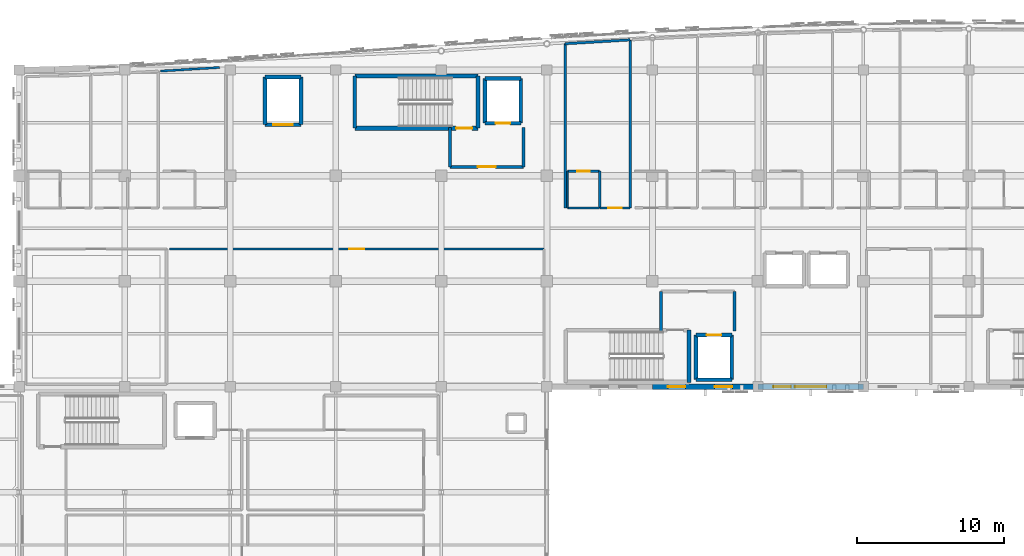
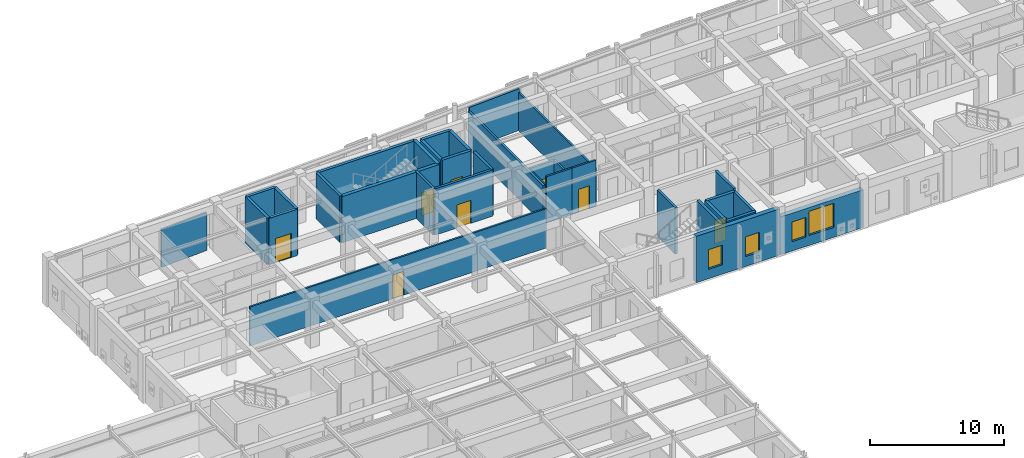
# One storey, part 79 of 106: 34 walls, 8 doors, 4 windows, 12 openings.
"""IFC4 building model written with IfcOpenShell, lengths in metres."""

import ifcopenshell
import ifcopenshell.guid

model = None  # the IFC model being written
_history = None  # IfcOwnerHistory: only IFC2X3 demands one
_inside = {}  # id of a spatial element -> (the spatial element, [elements in it])
_under = {}  # id of a project, library or spatial element -> (it, [spatial elements below it])
_declared = {}  # id of a project -> (the project, [libraries it declares])
_typed = {}  # id of a type object -> (the type object, [elements of that type])
_made_of = {}  # id of a material, layer set ... -> (it, [elements and type objects made of it])


def new_model(schema):
    """Start an empty IFC model of exactly this schema.

    Asked for "IFC4X3", IfcOpenShell would pick the latest addendum, in which some entities
    have other attributes; the version numbers below select the first issue.
    IFC2X3 requires an IfcOwnerHistory on every rooted entity: one is made here for all.
    """
    global model, _history
    if schema == "IFC4X3":
        model = ifcopenshell.file(schema_version=(4, 3, 0, 0))
    else:
        model = ifcopenshell.file(schema=schema)
    _inside.clear()
    _under.clear()
    _declared.clear()
    _typed.clear()
    _made_of.clear()
    _history = None
    if model.schema == "IFC2X3":
        org = make("IfcOrganization", Name="unknown")
        user = make(
            "IfcPersonAndOrganization",
            ThePerson=make("IfcPerson", FamilyName="unknown"),
            TheOrganization=org,
        )
        app = make(
            "IfcApplication",
            ApplicationDeveloper=org,
            Version="unknown",
            ApplicationFullName="unknown",
            ApplicationIdentifier="unknown",
        )
        _history = make(
            "IfcOwnerHistory",
            OwningUser=user,
            OwningApplication=app,
            ChangeAction="ADDED",
            CreationDate=0,
        )
    return model


def make(cls, **values):
    """One entity of the class cls with the attributes given. An attribute that is None is left unset."""
    return model.create_entity(
        cls, **{name: value for name, value in values.items() if value is not None}
    )


def rooted(cls, **values):
    """An entity with a GlobalId (a new one), such as an element, a storey or a relation."""
    return make(cls, GlobalId=ifcopenshell.guid.new(), OwnerHistory=_history, **values)


def si_unit(unit_type, name, prefix=None):
    """IfcSIUnit, for example si_unit("LENGTHUNIT", "METRE", prefix="MILLI")."""
    return make("IfcSIUnit", UnitType=unit_type, Prefix=prefix, Name=name)


def assignment(units):
    """IfcUnitAssignment: the units of a project."""
    return None if units is None else make("IfcUnitAssignment", Units=units)


def point(xyz):
    """IfcCartesianPoint."""
    return None if xyz is None else make("IfcCartesianPoint", Coordinates=xyz)


def direction(xyz):
    """IfcDirection."""
    return None if xyz is None else make("IfcDirection", DirectionRatios=xyz)


def frame(location, z_axis=None, x_axis=None):
    """IfcAxis2Placement3D, a coordinate frame: its origin and axes. An axis left out is left unset."""
    return make(
        "IfcAxis2Placement3D",
        Location=point(location),
        Axis=direction(z_axis),
        RefDirection=direction(x_axis),
    )


def frame_2d(location, x_axis=None):
    """IfcAxis2Placement2D, a coordinate frame in the plane: its origin and x axis."""
    return make(
        "IfcAxis2Placement2D", Location=point(location), RefDirection=direction(x_axis)
    )


def origin():
    """The frame at (0, 0, 0) with its axes left unset."""
    return frame((0.0, 0.0, 0.0))


def place(relative_to, where):
    """IfcLocalPlacement: puts the frame where relative to a parent placement (None: the world)."""
    return make(
        "IfcLocalPlacement", PlacementRelTo=relative_to, RelativePlacement=where
    )


def context(
    kind, dimensions, precision=None, world=None, true_north=None, identifier=None
):
    """IfcGeometricRepresentationContext, for example the 3D "Model" context."""
    return make(
        "IfcGeometricRepresentationContext",
        ContextIdentifier=identifier,
        ContextType=kind,
        CoordinateSpaceDimension=dimensions,
        Precision=precision,
        WorldCoordinateSystem=world,
        TrueNorth=true_north,
    )


def subcontext(parent, identifier, kind, view, scale=None):
    """IfcGeometricRepresentationSubContext, for example "Body" below "Model"."""
    return make(
        "IfcGeometricRepresentationSubContext",
        ContextIdentifier=identifier,
        ContextType=kind,
        ParentContext=parent,
        TargetScale=scale,
        TargetView=view,
    )


def project(units=None, contexts=None):
    """IfcProject with its units and contexts."""
    return rooted(
        "IfcProject",
        Name="project",
        RepresentationContexts=contexts,
        UnitsInContext=assignment(units),
    )


def spatial(cls, under=None, at=None, **own):
    """A site, building, storey or space (cls), placed at a placement, below another one or the project."""
    s = rooted(cls, ObjectPlacement=at, **own)
    if under is not None:
        _under.setdefault(under.id(), (under, []))[1].append(s)
    return s


def profile(cls, at=None, kind="AREA", **sizes):
    """A parametric profile (cls). Its sizes go by their IFC names, for example OverallWidth=200.0."""
    return make(cls, ProfileType=kind, Position=at, **sizes)


def rectangle(**sizes):
    """IfcRectangleProfileDef."""
    return profile("IfcRectangleProfileDef", **sizes)


def extrude(swept, where, along, depth):
    """IfcExtrudedAreaSolid: the profile swept, set in the frame where, extruded along a direction by depth."""
    return make(
        "IfcExtrudedAreaSolid",
        SweptArea=swept,
        Position=where,
        ExtrudedDirection=direction(along),
        Depth=depth,
    )


def shape(context_of_items, identifier, shape_type, items):
    """IfcShapeRepresentation: the items that make up one representation, for example the "Body"."""
    return make(
        "IfcShapeRepresentation",
        ContextOfItems=context_of_items,
        RepresentationIdentifier=identifier,
        RepresentationType=shape_type,
        Items=items,
    )


def material(Name=None, Category=None):
    """IfcMaterial."""
    return make("IfcMaterial", Name=Name, Category=Category)


def layer(
    of_material, thickness, ventilated=None, Name=None, Category=None, Priority=None
):
    """IfcMaterialLayer: one layer of a wall or slab, of a material (None: an air gap)."""
    return make(
        "IfcMaterialLayer",
        Material=of_material,
        LayerThickness=thickness,
        IsVentilated=ventilated,
        Name=Name,
        Category=Category,
        Priority=Priority,
    )


def layer_set(layers, Name=None):
    """IfcMaterialLayerSet."""
    return make("IfcMaterialLayerSet", MaterialLayers=layers, LayerSetName=Name)


def made_of(thing, what):
    """Note that an element or type object is made of a material, layer set ...; save() writes the relation."""
    if what is not None:
        _made_of.setdefault(what.id(), (what, []))[1].append(thing)
    return thing


def type_object(cls, material=None, **own):
    """A type object (cls), such as IfcWallType, which elements share."""
    return made_of(rooted(cls, **own), material)


def element(
    cls,
    number,
    at=None,
    inside=None,
    cuts=None,
    type_object=None,
    material=None,
    context=None,
    identifier="Body",
    shape_type=None,
    held_by="IfcProductDefinitionShape",
    body=None,
    shapes=None,
    **own,
):
    """One element of the class cls, such as IfcWall. Its Tag is "e" and its number.

    at: its placement. inside: the storey or other place that contains it. cuts: it is an
    opening in that element (IfcRelVoidsElement). A single representation is given by context,
    identifier, shape_type and body (its items); several are given by shapes. held_by: the class
    of the entity that holds the representations. save() writes the other relations.
    """
    e = rooted(cls, Tag="e%d" % number, ObjectPlacement=at, **own)
    if body is not None:
        shapes = [shape(context, identifier, shape_type, body)]
    if shapes is not None:
        e.Representation = make(held_by, Representations=shapes)
    if inside is not None:
        _inside.setdefault(inside.id(), (inside, []))[1].append(e)
    if cuts is not None:
        rooted(
            "IfcRelVoidsElement", RelatingBuildingElement=cuts, RelatedOpeningElement=e
        )
    if type_object is not None:
        _typed.setdefault(type_object.id(), (type_object, []))[1].append(e)
    return made_of(e, material)


def fill(opening, filler):
    """IfcRelFillsElement: the door or window that sits in an opening."""
    return rooted(
        "IfcRelFillsElement",
        RelatingOpeningElement=opening,
        RelatedBuildingElement=filler,
    )


def aggregate(whole, parts):
    """IfcRelAggregates: a whole, such as a stair, and the parts it consists of."""
    return rooted("IfcRelAggregates", RelatingObject=whole, RelatedObjects=parts)


def save(model, path):
    """Write the relations noted so far, then the file.

    IfcRelAggregates (storeys below a building ...), IfcRelContainedInSpatialStructure (elements
    in a storey), IfcRelDefinesByType, IfcRelAssociatesMaterial and IfcRelDeclares: one each for
    every whole, place, type object, material and project.
    """
    for whole, parts in _under.values():
        aggregate(whole, parts)
    for where, things in _inside.values():
        rooted(
            "IfcRelContainedInSpatialStructure",
            RelatedElements=things,
            RelatingStructure=where,
        )
    for kind, things in _typed.values():
        rooted("IfcRelDefinesByType", RelatedObjects=things, RelatingType=kind)
    for what, things in _made_of.values():
        rooted("IfcRelAssociatesMaterial", RelatedObjects=things, RelatingMaterial=what)
    for by, libraries in _declared.values():
        rooted("IfcRelDeclares", RelatingContext=by, RelatedDefinitions=libraries)
    model.write(path)


model = new_model("IFC4")

# Units and contexts
model_context = context("Model", 3, precision=1e-05, world=origin(), true_north=direction((0.0, 1.0)))
body_context = subcontext(model_context, "Body", "Model", "MODEL_VIEW")
ifc_project = project(units=[si_unit("LENGTHUNIT", "METRE"), si_unit("AREAUNIT", "SQUARE_METRE"), si_unit("VOLUMEUNIT", "CUBIC_METRE"), si_unit("PLANEANGLEUNIT", "RADIAN"), si_unit("MASSUNIT", "GRAM", prefix="KILO")], contexts=[model_context])

# Site, building, storey
site_placement = place(None, origin())
site = spatial("IfcSite", under=ifc_project, at=site_placement, CompositionType="ELEMENT")
building_placement = place(site_placement, origin())
building = spatial("IfcBuilding", under=site, at=building_placement, Name="Carrowvane Square Congress Hotel", CompositionType="ELEMENT")
storey_placement = place(building_placement, frame((0.0, 0.0, 10.5)))
storey = spatial("IfcBuildingStorey", under=building, at=storey_placement, Name="L02", CompositionType="ELEMENT", Elevation=10.5)

# Wall, openings, windows
ifc_material_1 = material(Name="Glazed terracotta rainscreen", Category="masonry")
ifc_layer_1 = layer(ifc_material_1, 0.39990234375)
ifc_layer_set_1 = layer_set([ifc_layer_1], Name="Glazed terracotta rainscreen")
wall_type_1 = type_object("IfcWallType", Name="WL-EXT-TC400", PredefinedType="STANDARD", material=ifc_layer_set_1)
wall_1_placement = place(storey_placement, frame((90.800048828125, 91.800048828125, 0.0), z_axis=(0.0, 0.0, 1.0), x_axis=(-1.0, 0.0, 0.0)))
wall_1 = element("IfcWall", 1, at=wall_1_placement, inside=storey, type_object=wall_type_1, Name="L02 exterior facade wall 320", PredefinedType="STANDARD", context=body_context, shape_type="SweptSolid", body=[
    extrude(rectangle(XDim=7.199951171875, YDim=0.39990234375, at=frame_2d((3.60009765625, 0.0))), origin(), (0.0, 0.0, 1.0), 3.455078125),
])
opening_1_placement = place(wall_1_placement, frame((2.52490234375, 0.0, 0.89990234375)))
opening_1 = element("IfcOpeningElement", 2, at=opening_1_placement, cuts=wall_1, Name="Opening W-35", PredefinedType="OPENING", context=body_context, shape_type="SweptSolid", body=[
    extrude(rectangle(XDim=2.14990234375, YDim=2.199951171875, at=frame_2d((1.074951171875, 1.10009765625))), frame((0.0, 0.2099609375, 0.0), z_axis=(0.0, -1.0, 0.0), x_axis=(1.0, 0.0, 0.0)), (0.0, 0.0, 1.0), 0.419921875),
])
opening_2_placement = place(wall_1_placement, frame((4.949951171875, 0.0, 0.85009765625)))
opening_2 = element("IfcOpeningElement", 3, at=opening_2_placement, cuts=wall_1, Name="Opening W-01", PredefinedType="OPENING", context=body_context, shape_type="SweptSolid", body=[
    extrude(rectangle(XDim=1.199951171875, YDim=1.800048828125, at=frame_2d((0.60009765625, 0.89990234375))), frame((0.0, 0.2099609375, 0.0), z_axis=(0.0, -1.0, 0.0), x_axis=(1.0, 0.0, 0.0)), (0.0, 0.0, 1.0), 0.419921875),
])
ifc_material_2 = material(Name="Double-glazed low-E glass", Category="glass")
window_type_1 = type_object("IfcWindowType", Name="WIN-01", PartitioningType="SINGLE_PANEL", PredefinedType="WINDOW", material=ifc_material_2)
window_1_placement = place(opening_2_placement, origin())
window_1 = element("IfcWindow", 4, at=window_1_placement, inside=storey, type_object=window_type_1, Name="L02 guest bedroom window 144", OverallHeight=1.800048828125, OverallWidth=1.199951171875, PartitioningType="SINGLE_PANEL", PredefinedType="WINDOW", context=body_context, shape_type="SweptSolid", body=[
    extrude(rectangle(XDim=1.199951171875, YDim=1.800048828125, at=frame_2d((0.60009765625, 0.89990234375))), frame((0.0, 0.030029296875, 0.0), z_axis=(0.0, -1.0, 0.0), x_axis=(1.0, 0.0, 0.0)), (0.0, 0.0, 1.0), 0.06005859375),
])
fill(opening_2, window_1)
ifc_material_3 = material(Name="Double-glazed low-E glass", Category="glass")
window_type_2 = type_object("IfcWindowType", Name="WIN-35", PartitioningType="SINGLE_PANEL", PredefinedType="WINDOW", material=ifc_material_3)
window_2_placement = place(opening_1_placement, origin())
window_2 = element("IfcWindow", 5, at=window_2_placement, inside=storey, type_object=window_type_2, Name="L02 facade window 143", OverallHeight=2.199951171875, OverallWidth=2.14990234375, PartitioningType="SINGLE_PANEL", PredefinedType="WINDOW", context=body_context, shape_type="SweptSolid", body=[
    extrude(rectangle(XDim=2.14990234375, YDim=2.199951171875, at=frame_2d((1.074951171875, 1.10009765625))), frame((0.0, 0.030029296875, 0.0), z_axis=(0.0, -1.0, 0.0), x_axis=(1.0, 0.0, 0.0)), (0.0, 0.0, 1.0), 0.06005859375),
])
fill(opening_1, window_2)

wall_2_placement = place(storey_placement, frame((83.60009765625, 91.800048828125, 0.0), z_axis=(0.0, 0.0, 1.0), x_axis=(-1.0, 0.0, 0.0)))
wall_2 = element("IfcWall", 6, at=wall_2_placement, inside=storey, type_object=wall_type_1, Name="L02 exterior facade wall 321", PredefinedType="STANDARD", context=body_context, shape_type="SweptSolid", body=[
    extrude(rectangle(XDim=7.2001953125, YDim=0.39990234375, at=frame_2d((3.60009765625, 0.0))), origin(), (0.0, 0.0, 1.0), 4.219970703125),
])
opening_3_placement = place(wall_2_placement, frame((1.75, 0.0, 0.89990234375)))
opening_3 = element("IfcOpeningElement", 7, at=opening_3_placement, cuts=wall_2, Name="Opening W-01", PredefinedType="OPENING", context=body_context, shape_type="SweptSolid", body=[
    extrude(rectangle(XDim=1.199951171875, YDim=1.800048828125, at=frame_2d((0.60009765625, 0.89990234375))), frame((0.0, 0.2099609375, 0.0), z_axis=(0.0, -1.0, 0.0), x_axis=(1.0, 0.0, 0.0)), (0.0, 0.0, 1.0), 0.419921875),
])
opening_4_placement = place(wall_2_placement, frame((4.949951171875, 0.0, 0.85009765625)))
opening_4 = element("IfcOpeningElement", 8, at=opening_4_placement, cuts=wall_2, Name="Opening W-01", PredefinedType="OPENING", context=body_context, shape_type="SweptSolid", body=[
    extrude(rectangle(XDim=1.199951171875, YDim=1.800048828125, at=frame_2d((0.60009765625, 0.89990234375))), frame((0.0, 0.2099609375, 0.0), z_axis=(0.0, -1.0, 0.0), x_axis=(1.0, 0.0, 0.0)), (0.0, 0.0, 1.0), 0.419921875),
])
window_3_placement = place(opening_3_placement, origin())
window_3 = element("IfcWindow", 9, at=window_3_placement, inside=storey, type_object=window_type_1, Name="L02 facade window 145", OverallHeight=1.800048828125, OverallWidth=1.199951171875, PartitioningType="SINGLE_PANEL", PredefinedType="WINDOW", context=body_context, shape_type="SweptSolid", body=[
    extrude(rectangle(XDim=1.199951171875, YDim=1.800048828125, at=frame_2d((0.60009765625, 0.89990234375))), frame((0.0, 0.030029296875, 0.0), z_axis=(0.0, -1.0, 0.0), x_axis=(1.0, 0.0, 0.0)), (0.0, 0.0, 1.0), 0.06005859375),
])
fill(opening_3, window_3)
window_4_placement = place(opening_4_placement, origin())
window_4 = element("IfcWindow", 10, at=window_4_placement, inside=storey, type_object=window_type_1, Name="L02 guest bedroom window 146", OverallHeight=1.800048828125, OverallWidth=1.199951171875, PartitioningType="SINGLE_PANEL", PredefinedType="WINDOW", context=body_context, shape_type="SweptSolid", body=[
    extrude(rectangle(XDim=1.199951171875, YDim=1.800048828125, at=frame_2d((0.60009765625, 0.89990234375))), frame((0.0, 0.030029296875, 0.0), z_axis=(0.0, -1.0, 0.0), x_axis=(1.0, 0.0, 0.0)), (0.0, 0.0, 1.0), 0.06005859375),
])
fill(opening_4, window_4)

# Walls
ifc_material_4 = material(Name="Acoustic gypsum board", Category="gypsum")
ifc_layer_2 = layer(ifc_material_4, 0.155029296875)
ifc_layer_set_2 = layer_set([ifc_layer_2], Name="Acoustic gypsum board")
wall_type_2 = type_object("IfcWallType", Name="WL-FIR-155", PredefinedType="PARTITIONING", material=ifc_layer_set_2)
wall_3_placement = place(storey_placement, frame((72.800048828125, 104.0, 0.0), z_axis=(0.0, 0.0, 1.0), x_axis=(-1.0, 0.0, 0.0)))
element("IfcWall", 11, at=wall_3_placement, inside=storey, type_object=wall_type_2, Name="L02 En-suite Bathroom 0205 partition", PredefinedType="PARTITIONING", context=body_context, shape_type="SweptSolid", body=[
    extrude(rectangle(XDim=2.199951171875, YDim=0.155029296875, at=frame_2d((1.10009765625, 0.0))), origin(), (0.0, 0.0, 1.0), 4.219970703125),
])
wall_4_placement = place(storey_placement, frame((74.889892578125, 115.464599609375, 0.0), z_axis=(0.0, 0.0, 1.0), x_axis=(0.0, -1.0, 0.0)))
element("IfcWall", 12, at=wall_4_placement, inside=storey, type_object=wall_type_2, Name="L02 Parkview Guest Bedroom 0205 partition", PredefinedType="PARTITIONING", context=body_context, shape_type="SweptSolid", body=[
    extrude(rectangle(XDim=11.464599609375, YDim=0.155029296875, at=frame_2d((5.732421875, 0.0))), origin(), (0.0, 0.0, 1.0), 3.455078125),
])
ifc_material_5 = material(Name="Acoustic gypsum board", Category="gypsum")
ifc_layer_3 = layer(ifc_material_5, 0.169921875)
ifc_layer_set_3 = layer_set([ifc_layer_3], Name="Acoustic gypsum board")
wall_type_3 = type_object("IfcWallType", Name="WL-FIR-170", PredefinedType="PARTITIONING", material=ifc_layer_set_3)
wall_5_placement = place(storey_placement, frame((72.800048828125, 106.5, 0.0), z_axis=(0.0, 0.0, 1.0), x_axis=(0.0, -1.0, 0.0)))
element("IfcWall", 13, at=wall_5_placement, inside=storey, type_object=wall_type_3, Name="L02 En-suite Bathroom 0205 partition", PredefinedType="PARTITIONING", context=body_context, shape_type="SweptSolid", body=[
    extrude(rectangle(XDim=2.5, YDim=0.169921875, at=frame_2d((1.25, 0.0))), origin(), (0.0, 0.0, 1.0), 3.455078125),
])
wall_6_placement = place(storey_placement, frame((70.449951171875, 115.202392578125, 0.0), z_axis=(0.0, 0.0, 1.0), x_axis=(0.998260718003, 0.058953701261, 0.0)))
element("IfcWall", 14, at=wall_6_placement, inside=storey, type_object=wall_type_3, Name="L02 Parkview Guest Bedroom 0205 partition", PredefinedType="PARTITIONING", context=body_context, shape_type="SweptSolid", body=[
    extrude(rectangle(XDim=4.44775390625, YDim=0.169921875, at=frame_2d((2.223876953125, 0.0))), origin(), (0.0, 0.0, 1.0), 3.795654296875),
])

# Wall, opening, door
ifc_material_6 = material(Name="Acoustic gypsum board", Category="gypsum")
ifc_layer_4 = layer(ifc_material_6, 0.18505859375)
ifc_layer_set_4 = layer_set([ifc_layer_4], Name="Acoustic gypsum board")
wall_type_4 = type_object("IfcWallType", Name="WL-FIR-185", PredefinedType="PARTITIONING", material=ifc_layer_set_4)
wall_7_placement = place(storey_placement, frame((70.60009765625, 106.5, 0.0), z_axis=(0.0, 0.0, 1.0), x_axis=(1.0, 0.0, 0.0)))
wall_7 = element("IfcWall", 15, at=wall_7_placement, inside=storey, type_object=wall_type_4, Name="L02 En-suite Bathroom 0205 partition", PredefinedType="PARTITIONING", context=body_context, shape_type="SweptSolid", body=[
    extrude(rectangle(XDim=2.199951171875, YDim=0.18505859375, at=frame_2d((1.10009765625, 0.0))), origin(), (0.0, 0.0, 1.0), 3.455078125),
])
opening_5_placement = place(wall_7_placement, frame((0.6650390625, 0.0, 0.0)))
opening_5 = element("IfcOpeningElement", 16, at=opening_5_placement, cuts=wall_7, Name="Opening ID-15", PredefinedType="OPENING", context=body_context, shape_type="SweptSolid", body=[
    extrude(rectangle(XDim=0.8701171875, YDim=2.070068359375, at=frame_2d((0.43505859375, 1.03515625))), frame((0.0, 0.1025390625, 0.0), z_axis=(0.0, -1.0, 0.0), x_axis=(1.0, 0.0, 0.0)), (0.0, 0.0, 1.0), 0.205078125),
])
ifc_material_7 = material(Name="European oak timber", Category="wood")
door_type_1 = type_object("IfcDoorType", Name="DR-INT-0870x2070", OperationType="NOTDEFINED", PredefinedType="DOOR", material=ifc_material_7)
door_1_placement = place(opening_5_placement, origin())
door_1 = element("IfcDoor", 17, at=door_1_placement, inside=storey, type_object=door_type_1, Name="L02 En-suite Bathroom 0205 door", OperationType="SINGLE_SWING_LEFT", OverallHeight=2.070068359375, OverallWidth=0.8701171875, PredefinedType="DOOR", context=body_context, shape_type="SweptSolid", body=[
    extrude(rectangle(XDim=0.8701171875, YDim=2.070068359375, at=frame_2d((0.43505859375, 1.03515625))), frame((0.0, 0.02490234375, 0.0), z_axis=(0.0, -1.0, 0.0), x_axis=(1.0, 0.0, 0.0)), (0.0, 0.0, 1.0), 0.050048828125),
])
fill(opening_5, door_1)

# Wall
wall_8_placement = place(storey_placement, frame((70.449951171875, 104.0, 0.0), z_axis=(0.0, 0.0, 1.0), x_axis=(0.0, 1.0, 0.0)))
element("IfcWall", 18, at=wall_8_placement, inside=storey, type_object=wall_type_4, Name="L02 Parkview Guest Bedroom 0205 partition", PredefinedType="PARTITIONING", context=body_context, shape_type="SweptSolid", body=[
    extrude(rectangle(XDim=11.202392578125, YDim=0.18505859375, at=frame_2d((5.60107421875, 0.0))), origin(), (0.0, 0.0, 1.0), 3.455078125),
])

# Wall, opening, door
ifc_material_8 = material(Name="Acoustic gypsum board", Category="gypsum")
ifc_layer_5 = layer(ifc_material_8, 0.205078125)
ifc_layer_set_5 = layer_set([ifc_layer_5], Name="Acoustic gypsum board")
wall_type_5 = type_object("IfcWallType", Name="WL-FIR-205", PredefinedType="PARTITIONING", material=ifc_layer_set_5)
wall_9_placement = place(storey_placement, frame((62.60009765625, 106.800048828125, 0.0), z_axis=(0.0, 0.0, 1.0), x_axis=(1.0, 0.0, 0.0)))
wall_9 = element("IfcWall", 19, at=wall_9_placement, inside=storey, type_object=wall_type_5, Name="L02 Firefighting Lobby C1 wall south", PredefinedType="PARTITIONING", context=body_context, shape_type="SweptSolid", body=[
    extrude(rectangle(XDim=5.0, YDim=0.205078125, at=frame_2d((2.5, 0.0))), origin(), (0.0, 0.0, 1.0), 4.219970703125),
])
opening_6_placement = place(wall_9_placement, frame((1.89990234375, 0.0, 0.0)))
opening_6 = element("IfcOpeningElement", 20, at=opening_6_placement, cuts=wall_9, Name="Opening FD-02", PredefinedType="OPENING", context=body_context, shape_type="SweptSolid", body=[
    extrude(rectangle(XDim=1.199951171875, YDim=2.10009765625, at=frame_2d((0.60009765625, 1.050048828125))), frame((0.0, 0.112548828125, 0.0), z_axis=(0.0, -1.0, 0.0), x_axis=(1.0, 0.0, 0.0)), (0.0, 0.0, 1.0), 0.22509765625),
])
ifc_material_9 = material(Name="European oak timber", Category="wood")
door_type_2 = type_object("IfcDoorType", Name="DR-FD60-1200x2100", OperationType="NOTDEFINED", PredefinedType="DOOR", material=ifc_material_9)
door_2_placement = place(opening_6_placement, origin())
door_2 = element("IfcDoor", 21, at=door_2_placement, inside=storey, type_object=door_type_2, Name="L02 Firefighting Lobby C1 entrance door", OperationType="SINGLE_SWING_LEFT", OverallHeight=2.10009765625, OverallWidth=1.199951171875, PredefinedType="DOOR", context=body_context, shape_type="SweptSolid", body=[
    extrude(rectangle(XDim=1.199951171875, YDim=2.10009765625, at=frame_2d((0.60009765625, 1.050048828125))), frame((0.0, 0.02490234375, 0.0), z_axis=(0.0, -1.0, 0.0), x_axis=(1.0, 0.0, 0.0)), (0.0, 0.0, 1.0), 0.050048828125),
])
fill(opening_6, door_2)

# Walls
for number, where, z_axis, x_axis, name in (
    (22, (67.60009765625, 106.800048828125, 0.0), (0.0, 0.0, 1.0), (0.0, 1.0, 0.0), "L02 Firefighting Lobby C1 wall east"),
    (23, (62.60009765625, 109.5, 0.0), (0.0, 0.0, 1.0), (0.0, -1.0, 0.0), "L02 Firefighting Lobby C1 wall west"),
    (24, (82.0, 95.60009765625, 0.0), (0.0, 0.0, 1.0), (0.0, 1.0, 0.0), "L02 Firefighting Lobby C2 wall east"),
    (25, (77.0, 98.300048828125, 0.0), (0.0, 0.0, 1.0), (0.0, -1.0, 0.0), "L02 Firefighting Lobby C2 wall west"),
):
    element("IfcWall", number, at=place(storey_placement, frame(where, z_axis=z_axis, x_axis=x_axis)), inside=storey, type_object=wall_type_5, Name=name, PredefinedType="PARTITIONING", context=body_context, shape_type="SweptSolid", body=[
        extrude(rectangle(XDim=2.699951171875, YDim=0.205078125, at=frame_2d((1.35009765625, 0.0))), origin(), (0.0, 0.0, 1.0), 4.219970703125),
    ])
ifc_material_10 = material(Name="Acoustic gypsum board", Category="gypsum")
ifc_layer_6 = layer(ifc_material_10, 0.097900390625)
ifc_layer_set_6 = layer_set([ifc_layer_6], Name="Acoustic gypsum board")
wall_type_6 = type_object("IfcWallType", Name="WL-PRT-098", PredefinedType="PARTITIONING", material=ifc_layer_set_6)
wall_10_placement = place(storey_placement, frame((70.60009765625, 104.0, 0.0), z_axis=(0.0, 0.0, 1.0), x_axis=(0.0, 1.0, 0.0)))
element("IfcWall", 26, at=wall_10_placement, inside=storey, type_object=wall_type_6, Name="L02 En-suite Bathroom 0205 partition", PredefinedType="PARTITIONING", context=body_context, shape_type="SweptSolid", body=[
    extrude(rectangle(XDim=2.5, YDim=0.097900390625, at=frame_2d((1.25, 0.0))), origin(), (0.0, 0.0, 1.0), 3.455078125),
])

# Wall, opening, door
ifc_material_11 = material(Name="Acoustic gypsum board", Category="gypsum")
ifc_layer_7 = layer(ifc_material_11, 0.14794921875)
ifc_layer_set_7 = layer_set([ifc_layer_7], Name="Acoustic gypsum board")
wall_type_7 = type_object("IfcWallType", Name="WL-PRT-148", PredefinedType="PARTITIONING", material=ifc_layer_set_7)
wall_11_placement = place(storey_placement, frame((43.449951171875, 101.199951171875, 0.0), z_axis=(0.0, 0.0, 1.0), x_axis=(1.0, 0.0, 0.0)))
wall_11 = element("IfcWall", 27, at=wall_11_placement, inside=storey, type_object=wall_type_7, Name="L02 L02 West Delegate Linen and Service Room partition", PredefinedType="PARTITIONING", context=body_context, shape_type="SweptSolid", body=[
    extrude(rectangle(XDim=25.550048828125, YDim=0.14794921875, at=frame_2d((12.77490234375, 0.0))), origin(), (0.0, 0.0, 1.0), 3.554931640625),
])
opening_7_placement = place(wall_11_placement, frame((12.27001953125, 0.0, 0.0)))
opening_7 = element("IfcOpeningElement", 28, at=opening_7_placement, cuts=wall_11, Name="Opening ID-20", PredefinedType="OPENING", context=body_context, shape_type="SweptSolid", body=[
    extrude(rectangle(XDim=1.010009765625, YDim=2.159912109375, at=frame_2d((0.5048828125, 1.080078125))), frame((0.0, 0.083984375, 0.0), z_axis=(0.0, -1.0, 0.0), x_axis=(1.0, 0.0, 0.0)), (0.0, 0.0, 1.0), 0.16796875),
])
ifc_material_12 = material(Name="European oak timber", Category="wood")
door_type_3 = type_object("IfcDoorType", Name="DR-INT-1010x2160", OperationType="NOTDEFINED", PredefinedType="DOOR", material=ifc_material_12)
door_3_placement = place(opening_7_placement, origin())
door_3 = element("IfcDoor", 29, at=door_3_placement, inside=storey, type_object=door_type_3, Name="L02 L02 West Delegate Linen and Service Room entrance door", OperationType="SINGLE_SWING_LEFT", OverallHeight=2.159912109375, OverallWidth=1.010009765625, PredefinedType="DOOR", context=body_context, shape_type="SweptSolid", body=[
    extrude(rectangle(XDim=1.010009765625, YDim=2.159912109375, at=frame_2d((0.5048828125, 1.080078125))), frame((0.0, 0.02490234375, 0.0), z_axis=(0.0, -1.0, 0.0), x_axis=(1.0, 0.0, 0.0)), (0.0, 0.0, 1.0), 0.050048828125),
])
fill(opening_7, door_3)

# Wall
wall_12_placement = place(storey_placement, frame((42.85009765625, 113.334228515625, 0.0), z_axis=(0.0, 0.0, 1.0), x_axis=(0.998137725454, 0.061000664142, 0.0)))
element("IfcWall", 30, at=wall_12_placement, inside=storey, type_object=wall_type_7, Name="L02 Parkview Guest Bedroom 0204 partition", PredefinedType="PARTITIONING", context=body_context, shape_type="SweptSolid", body=[
    extrude(rectangle(XDim=4.038330078125, YDim=0.14794921875, at=frame_2d((2.01904296875, 0.0))), origin(), (0.0, 0.0, 1.0), 3.455078125),
])

# Wall, opening, door
wall_13_placement = place(storey_placement, frame((74.889892578125, 104.0, 0.0), z_axis=(0.0, 0.0, 1.0), x_axis=(-1.0, 0.0, 0.0)))
wall_13 = element("IfcWall", 31, at=wall_13_placement, inside=storey, type_object=wall_type_7, Name="L02 Parkview Guest Bedroom 0205 partition", PredefinedType="PARTITIONING", context=body_context, shape_type="SweptSolid", body=[
    extrude(rectangle(XDim=2.079833984375, YDim=0.14794921875, at=frame_2d((1.0400390625, 0.0))), origin(), (0.0, 0.0, 1.0), 4.219970703125),
])
opening_8_placement = place(wall_13_placement, frame((0.56494140625, 0.0, 0.0)))
opening_8 = element("IfcOpeningElement", 32, at=opening_8_placement, cuts=wall_13, Name="Opening FD-06", PredefinedType="OPENING", context=body_context, shape_type="SweptSolid", body=[
    extrude(rectangle(XDim=0.949951171875, YDim=2.10009765625, at=frame_2d((0.47509765625, 1.050048828125))), frame((0.0, 0.083984375, 0.0), z_axis=(0.0, -1.0, 0.0), x_axis=(1.0, 0.0, 0.0)), (0.0, 0.0, 1.0), 0.16796875),
])
ifc_material_13 = material(Name="European oak timber", Category="wood")
door_type_4 = type_object("IfcDoorType", Name="DR-FD30-0950x2100", OperationType="NOTDEFINED", PredefinedType="DOOR", material=ifc_material_13)
door_4_placement = place(opening_8_placement, origin())
door_4 = element("IfcDoor", 33, at=door_4_placement, inside=storey, type_object=door_type_4, Name="L02 Parkview Guest Bedroom 0205 entrance door", OperationType="SINGLE_SWING_RIGHT", OverallHeight=2.10009765625, OverallWidth=0.949951171875, PredefinedType="DOOR", context=body_context, shape_type="SweptSolid", body=[
    extrude(rectangle(XDim=0.949951171875, YDim=2.10009765625, at=frame_2d((0.47509765625, 1.050048828125))), frame((0.0, 0.02490234375, 0.0), z_axis=(0.0, -1.0, 0.0), x_axis=(1.0, 0.0, 0.0)), (0.0, 0.0, 1.0), 0.050048828125),
])
fill(opening_8, door_4)

# Walls
ifc_material_14 = material(Name="Concrete C40/50", Category="concrete")
ifc_layer_8 = layer(ifc_material_14, 0.22509765625)
ifc_layer_set_8 = layer_set([ifc_layer_8], Name="Concrete C40/50")
wall_type_8 = type_object("IfcWallType", Name="WL-SHR-225", PredefinedType="SHEAR", material=ifc_layer_set_8)
wall_14_placement = place(storey_placement, frame((56.10009765625, 113.0, 0.0), z_axis=(0.0, 0.0, 1.0), x_axis=(0.0, -1.0, 0.0)))
element("IfcWall", 34, at=wall_14_placement, inside=storey, type_object=wall_type_8, Name="L02 ST1 core wall west", PredefinedType="SHEAR", context=body_context, shape_type="SweptSolid", body=[
    extrude(rectangle(XDim=3.56005859375, YDim=0.22509765625, at=frame_2d((1.780029296875, 0.0))), origin(), (0.0, 0.0, 1.0), 4.219970703125),
])
ifc_material_15 = material(Name="Concrete C40/50", Category="concrete")
ifc_layer_9 = layer(ifc_material_15, 0.25)
ifc_layer_set_9 = layer_set([ifc_layer_9], Name="Concrete C40/50")
wall_type_9 = type_object("IfcWallType", Name="WL-SHR-250", PredefinedType="SHEAR", material=ifc_layer_set_9)
wall_15_placement = place(storey_placement, frame((64.5, 113.0, 0.0), z_axis=(0.0, 0.0, 1.0), x_axis=(-1.0, 0.0, 0.0)))
element("IfcWall", 35, at=wall_15_placement, inside=storey, type_object=wall_type_9, Name="L02 ST1 core wall north", PredefinedType="SHEAR", context=body_context, shape_type="SweptSolid", body=[
    extrude(rectangle(XDim=8.39990234375, YDim=0.25, at=frame_2d((4.199951171875, 0.0))), origin(), (0.0, 0.0, 1.0), 4.219970703125),
])

# Wall, opening, door
wall_16_placement = place(storey_placement, frame((64.97509765625, 109.77490234375, 0.0), z_axis=(0.0, 0.0, 1.0), x_axis=(1.0, 0.0, 0.0)))
wall_16 = element("IfcWall", 36, at=wall_16_placement, inside=storey, type_object=wall_type_9, Name="L02 FFL-1 shaft wall south", PredefinedType="SHEAR", context=body_context, shape_type="SweptSolid", body=[
    extrude(rectangle(XDim=2.449951171875, YDim=0.25, at=frame_2d((1.22509765625, 0.0))), origin(), (0.0, 0.0, 1.0), 4.219970703125),
])
opening_9_placement = place(wall_16_placement, frame((0.72509765625, 0.0, 0.0)))
opening_9 = element("IfcOpeningElement", 37, at=opening_9_placement, cuts=wall_16, Name="Opening LD-FFL-1", PredefinedType="OPENING", context=body_context, shape_type="SweptSolid", body=[
    extrude(rectangle(XDim=1.0, YDim=2.14990234375, at=frame_2d((0.5, 1.074951171875))), frame((0.0, 0.135009765625, 0.0), z_axis=(0.0, -1.0, 0.0), x_axis=(1.0, 0.0, 0.0)), (0.0, 0.0, 1.0), 0.27001953125),
])
ifc_material_16 = material(Name="Stainless steel 316", Category="steel")
door_type_5 = type_object("IfcDoorType", Name="DR-LD-1000x2150", OperationType="DOUBLE_DOOR_SLIDING", PredefinedType="DOOR", material=ifc_material_16)
door_5_placement = place(opening_9_placement, origin())
door_5 = element("IfcDoor", 38, at=door_5_placement, inside=storey, type_object=door_type_5, Name="L02 FFL-1 sliding lift landing door", OperationType="DOUBLE_DOOR_SLIDING", OverallHeight=2.14990234375, OverallWidth=1.0, PredefinedType="DOOR", context=body_context, shape_type="SweptSolid", body=[
    extrude(rectangle(XDim=1.0, YDim=2.14990234375, at=frame_2d((0.5, 1.074951171875))), frame((0.0, 0.02490234375, 0.0), z_axis=(0.0, -1.0, 0.0), x_axis=(1.0, 0.0, 0.0)), (0.0, 0.0, 1.0), 0.050048828125),
])
fill(opening_9, door_5)

# Walls
wall_17_placement = place(storey_placement, frame((67.425048828125, 109.77490234375, 0.0), z_axis=(0.0, 0.0, 1.0), x_axis=(0.0, 1.0, 0.0)))
element("IfcWall", 39, at=wall_17_placement, inside=storey, type_object=wall_type_9, Name="L02 FFL-1 shaft wall east", PredefinedType="SHEAR", context=body_context, shape_type="SweptSolid", body=[
    extrude(rectangle(XDim=3.050048828125, YDim=0.25, at=frame_2d((1.52490234375, 0.0))), origin(), (0.0, 0.0, 1.0), 4.219970703125),
])
wall_18_placement = place(storey_placement, frame((67.425048828125, 112.824951171875, 0.0), z_axis=(0.0, 0.0, 1.0), x_axis=(-1.0, 0.0, 0.0)))
element("IfcWall", 40, at=wall_18_placement, inside=storey, type_object=wall_type_9, Name="L02 FFL-1 shaft wall north", PredefinedType="SHEAR", context=body_context, shape_type="SweptSolid", body=[
    extrude(rectangle(XDim=2.449951171875, YDim=0.25, at=frame_2d((1.22509765625, 0.0))), origin(), (0.0, 0.0, 1.0), 4.219970703125),
])
wall_19_placement = place(storey_placement, frame((64.97509765625, 112.824951171875, 0.0), z_axis=(0.0, 0.0, 1.0), x_axis=(0.0, -1.0, 0.0)))
element("IfcWall", 41, at=wall_19_placement, inside=storey, type_object=wall_type_9, Name="L02 FFL-1 shaft wall west", PredefinedType="SHEAR", context=body_context, shape_type="SweptSolid", body=[
    extrude(rectangle(XDim=3.050048828125, YDim=0.25, at=frame_2d((1.52490234375, 0.0))), origin(), (0.0, 0.0, 1.0), 4.219970703125),
])
wall_20_placement = place(storey_placement, frame((79.375, 92.27490234375, 0.0), z_axis=(0.0, 0.0, 1.0), x_axis=(1.0, 0.0, 0.0)))
element("IfcWall", 42, at=wall_20_placement, inside=storey, type_object=wall_type_9, Name="L02 FFL-2 shaft wall south", PredefinedType="SHEAR", context=body_context, shape_type="SweptSolid", body=[
    extrude(rectangle(XDim=2.449951171875, YDim=0.25, at=frame_2d((1.22509765625, 0.0))), origin(), (0.0, 0.0, 1.0), 4.219970703125),
])
wall_21_placement = place(storey_placement, frame((81.824951171875, 92.27490234375, 0.0), z_axis=(0.0, 0.0, 1.0), x_axis=(0.0, 1.0, 0.0)))
element("IfcWall", 43, at=wall_21_placement, inside=storey, type_object=wall_type_9, Name="L02 FFL-2 shaft wall east", PredefinedType="SHEAR", context=body_context, shape_type="SweptSolid", body=[
    extrude(rectangle(XDim=3.050048828125, YDim=0.25, at=frame_2d((1.52490234375, 0.0))), origin(), (0.0, 0.0, 1.0), 4.219970703125),
])

# Wall, opening, door
wall_22_placement = place(storey_placement, frame((81.824951171875, 95.324951171875, 0.0), z_axis=(0.0, 0.0, 1.0), x_axis=(-1.0, 0.0, 0.0)))
wall_22 = element("IfcWall", 44, at=wall_22_placement, inside=storey, type_object=wall_type_9, Name="L02 FFL-2 shaft wall north", PredefinedType="SHEAR", context=body_context, shape_type="SweptSolid", body=[
    extrude(rectangle(XDim=2.449951171875, YDim=0.25, at=frame_2d((1.22509765625, 0.0))), origin(), (0.0, 0.0, 1.0), 4.219970703125),
])
opening_10_placement = place(wall_22_placement, frame((0.72509765625, 0.0, 0.0)))
opening_10 = element("IfcOpeningElement", 45, at=opening_10_placement, cuts=wall_22, Name="Opening LD-FFL-2", PredefinedType="OPENING", context=body_context, shape_type="SweptSolid", body=[
    extrude(rectangle(XDim=1.0, YDim=2.14990234375, at=frame_2d((0.5, 1.074951171875))), frame((0.0, 0.135009765625, 0.0), z_axis=(0.0, -1.0, 0.0), x_axis=(1.0, 0.0, 0.0)), (0.0, 0.0, 1.0), 0.27001953125),
])
door_6_placement = place(opening_10_placement, origin())
door_6 = element("IfcDoor", 46, at=door_6_placement, inside=storey, type_object=door_type_5, Name="L02 FFL-2 sliding lift landing door", OperationType="DOUBLE_DOOR_SLIDING", OverallHeight=2.14990234375, OverallWidth=1.0, PredefinedType="DOOR", context=body_context, shape_type="SweptSolid", body=[
    extrude(rectangle(XDim=1.0, YDim=2.14990234375, at=frame_2d((0.5, 1.074951171875))), frame((0.0, 0.02490234375, 0.0), z_axis=(0.0, -1.0, 0.0), x_axis=(1.0, 0.0, 0.0)), (0.0, 0.0, 1.0), 0.050048828125),
])
fill(opening_10, door_6)

# Wall
wall_23_placement = place(storey_placement, frame((79.375, 95.324951171875, 0.0), z_axis=(0.0, 0.0, 1.0), x_axis=(0.0, -1.0, 0.0)))
element("IfcWall", 47, at=wall_23_placement, inside=storey, type_object=wall_type_9, Name="L02 FFL-2 shaft wall west", PredefinedType="SHEAR", context=body_context, shape_type="SweptSolid", body=[
    extrude(rectangle(XDim=3.050048828125, YDim=0.25, at=frame_2d((1.52490234375, 0.0))), origin(), (0.0, 0.0, 1.0), 4.219970703125),
])

# Wall, opening, door
wall_24_placement = place(storey_placement, frame((49.97509765625, 109.675048828125, 0.0), z_axis=(0.0, 0.0, 1.0), x_axis=(1.0, 0.0, 0.0)))
wall_24 = element("IfcWall", 48, at=wall_24_placement, inside=storey, type_object=wall_type_9, Name="L02 SL-1 shaft wall south", PredefinedType="SHEAR", context=body_context, shape_type="SweptSolid", body=[
    extrude(rectangle(XDim=2.449951171875, YDim=0.25, at=frame_2d((1.22509765625, 0.0))), origin(), (0.0, 0.0, 1.0), 4.219970703125),
])
opening_11_placement = place(wall_24_placement, frame((0.550048828125, 0.0, 0.0)))
opening_11 = element("IfcOpeningElement", 49, at=opening_11_placement, cuts=wall_24, Name="Opening LD-SL-1", PredefinedType="OPENING", context=body_context, shape_type="SweptSolid", body=[
    extrude(rectangle(XDim=1.35009765625, YDim=2.199951171875, at=frame_2d((0.675048828125, 1.10009765625))), frame((0.0, 0.135009765625, 0.0), z_axis=(0.0, -1.0, 0.0), x_axis=(1.0, 0.0, 0.0)), (0.0, 0.0, 1.0), 0.27001953125),
])
ifc_material_17 = material(Name="Stainless steel 316", Category="steel")
door_type_6 = type_object("IfcDoorType", Name="DR-LD-1350x2200", OperationType="DOUBLE_DOOR_SLIDING", PredefinedType="DOOR", material=ifc_material_17)
door_7_placement = place(opening_11_placement, origin())
door_7 = element("IfcDoor", 50, at=door_7_placement, inside=storey, type_object=door_type_6, Name="L02 SL-1 sliding lift landing door", OperationType="DOUBLE_DOOR_SLIDING", OverallHeight=2.199951171875, OverallWidth=1.35009765625, PredefinedType="DOOR", context=body_context, shape_type="SweptSolid", body=[
    extrude(rectangle(XDim=1.35009765625, YDim=2.199951171875, at=frame_2d((0.675048828125, 1.10009765625))), frame((0.0, 0.02490234375, 0.0), z_axis=(0.0, -1.0, 0.0), x_axis=(1.0, 0.0, 0.0)), (0.0, 0.0, 1.0), 0.050048828125),
])
fill(opening_11, door_7)

# Walls
wall_25_placement = place(storey_placement, frame((52.425048828125, 109.675048828125, 0.0), z_axis=(0.0, 0.0, 1.0), x_axis=(0.0, 1.0, 0.0)))
element("IfcWall", 51, at=wall_25_placement, inside=storey, type_object=wall_type_9, Name="L02 SL-1 shaft wall east", PredefinedType="SHEAR", context=body_context, shape_type="SweptSolid", body=[
    extrude(rectangle(XDim=3.25, YDim=0.25, at=frame_2d((1.625, 0.0))), origin(), (0.0, 0.0, 1.0), 4.219970703125),
])
wall_26_placement = place(storey_placement, frame((52.425048828125, 112.925048828125, 0.0), z_axis=(0.0, 0.0, 1.0), x_axis=(-1.0, 0.0, 0.0)))
element("IfcWall", 52, at=wall_26_placement, inside=storey, type_object=wall_type_9, Name="L02 SL-1 shaft wall north", PredefinedType="SHEAR", context=body_context, shape_type="SweptSolid", body=[
    extrude(rectangle(XDim=2.449951171875, YDim=0.25, at=frame_2d((1.22509765625, 0.0))), origin(), (0.0, 0.0, 1.0), 4.219970703125),
])
wall_27_placement = place(storey_placement, frame((49.97509765625, 112.925048828125, 0.0), z_axis=(0.0, 0.0, 1.0), x_axis=(0.0, -1.0, 0.0)))
element("IfcWall", 53, at=wall_27_placement, inside=storey, type_object=wall_type_9, Name="L02 SL-1 shaft wall west", PredefinedType="SHEAR", context=body_context, shape_type="SweptSolid", body=[
    extrude(rectangle(XDim=3.25, YDim=0.25, at=frame_2d((1.625, 0.0))), origin(), (0.0, 0.0, 1.0), 4.219970703125),
])
ifc_material_18 = material(Name="Concrete C40/50", Category="concrete")
ifc_layer_10 = layer(ifc_material_18, 0.27490234375)
ifc_layer_set_10 = layer_set([ifc_layer_10], Name="Concrete C40/50")
wall_type_10 = type_object("IfcWallType", Name="WL-SHR-275", PredefinedType="SHEAR", material=ifc_layer_set_10)
wall_28_placement = place(storey_placement, frame((64.5, 109.43994140625, 0.0), z_axis=(0.0, 0.0, 1.0), x_axis=(0.0, 1.0, 0.0)))
element("IfcWall", 54, at=wall_28_placement, inside=storey, type_object=wall_type_10, Name="L02 ST1 core wall east", PredefinedType="SHEAR", context=body_context, shape_type="SweptSolid", body=[
    extrude(rectangle(XDim=3.56005859375, YDim=0.27490234375, at=frame_2d((1.780029296875, 0.0))), origin(), (0.0, 0.0, 1.0), 4.219970703125),
])
wall_29_placement = place(storey_placement, frame((78.89990234375, 92.10009765625, 0.0), z_axis=(0.0, 0.0, 1.0), x_axis=(0.0, 1.0, 0.0)))
element("IfcWall", 55, at=wall_29_placement, inside=storey, type_object=wall_type_10, Name="L02 ST2 core wall east", PredefinedType="SHEAR", context=body_context, shape_type="SweptSolid", body=[
    extrude(rectangle(XDim=3.559814453125, YDim=0.27490234375, at=frame_2d((1.77978515625, 0.0))), origin(), (0.0, 0.0, 1.0), 4.219970703125),
])

# Wall, opening, door
ifc_material_19 = material(Name="Concrete C40/50", Category="concrete")
ifc_layer_11 = layer(ifc_material_19, 0.300048828125)
ifc_layer_set_11 = layer_set([ifc_layer_11], Name="Concrete C40/50")
wall_type_11 = type_object("IfcWallType", Name="WL-SHR-300", PredefinedType="SHEAR", material=ifc_layer_set_11)
wall_30_placement = place(storey_placement, frame((56.10009765625, 109.43994140625, 0.0), z_axis=(0.0, 0.0, 1.0), x_axis=(1.0, 0.0, 0.0)))
wall_30 = element("IfcWall", 56, at=wall_30_placement, inside=storey, type_object=wall_type_11, Name="L02 ST1 core wall south", PredefinedType="SHEAR", context=body_context, shape_type="SweptSolid", body=[
    extrude(rectangle(XDim=8.39990234375, YDim=0.300048828125, at=frame_2d((4.199951171875, 0.0))), origin(), (0.0, 0.0, 1.0), 4.219970703125),
])
opening_12_placement = place(wall_30_placement, frame((6.909912109375, 0.0, 0.0)))
opening_12 = element("IfcOpeningElement", 57, at=opening_12_placement, cuts=wall_30, Name="Opening FD-01", PredefinedType="OPENING", context=body_context, shape_type="SweptSolid", body=[
    extrude(rectangle(XDim=1.10009765625, YDim=2.10009765625, at=frame_2d((0.550048828125, 1.050048828125))), frame((0.0, 0.159912109375, 0.0), z_axis=(0.0, -1.0, 0.0), x_axis=(1.0, 0.0, 0.0)), (0.0, 0.0, 1.0), 0.320068359375),
])
ifc_material_20 = material(Name="European oak timber", Category="wood")
door_type_7 = type_object("IfcDoorType", Name="DR-FD60-1100x2100", OperationType="NOTDEFINED", PredefinedType="DOOR", material=ifc_material_20)
door_8_placement = place(opening_12_placement, origin())
door_8 = element("IfcDoor", 58, at=door_8_placement, inside=storey, type_object=door_type_7, Name="L02 ST1 fire door", OperationType="SINGLE_SWING_RIGHT", OverallHeight=2.10009765625, OverallWidth=1.10009765625, PredefinedType="DOOR", context=body_context, shape_type="SweptSolid", body=[
    extrude(rectangle(XDim=1.10009765625, YDim=2.10009765625, at=frame_2d((0.550048828125, 1.050048828125))), frame((0.0, 0.02490234375, 0.0), z_axis=(0.0, -1.0, 0.0), x_axis=(1.0, 0.0, 0.0)), (0.0, 0.0, 1.0), 0.050048828125),
])
fill(opening_12, door_8)

save(model, "model.ifc")
